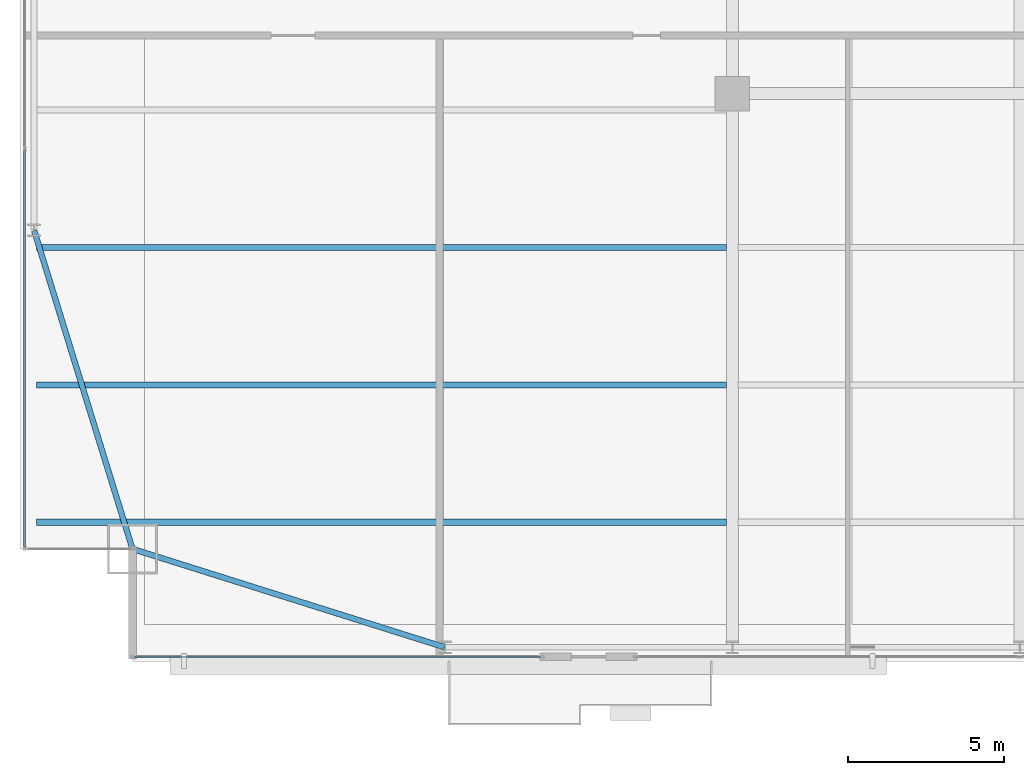
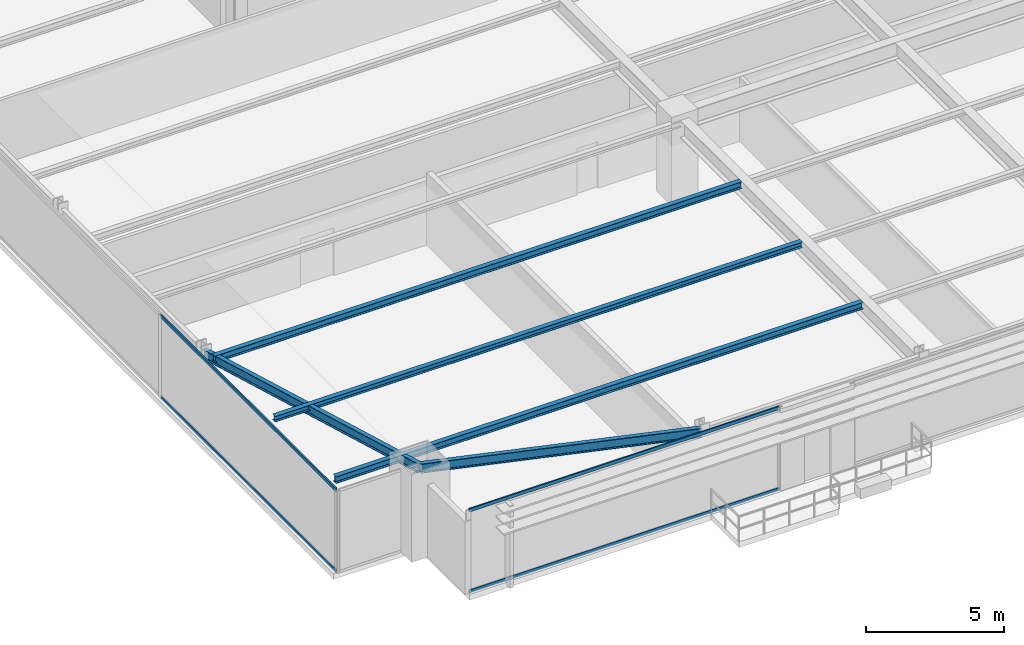
# One storey, part 4 of 31: 5 beams, 4 members, 2 elements without a shape of their own.
"""IFC4 building model written with IfcOpenShell, lengths in metres."""

from ifc_helpers import new_model, si_unit, direction, frame, origin, origin_2d, place, context, subcontext, project, spatial, hollow_rectangle, i_section, extrude, source, transform, mapped, material, layer, layer_set, material_profile, profile_set, type_object, type_shapes, element, aggregate, save


model = new_model("IFC4")

# Units and contexts
model_context = context("Model", 3, precision=1e-05, world=origin(), true_north=direction((0.0, 1.0)))
body_context = subcontext(model_context, "Body", "Model", "MODEL_VIEW")
ifc_project = project(units=[si_unit("LENGTHUNIT", "METRE"), si_unit("AREAUNIT", "SQUARE_METRE"), si_unit("VOLUMEUNIT", "CUBIC_METRE"), si_unit("PLANEANGLEUNIT", "RADIAN"), si_unit("MASSUNIT", "GRAM", prefix="KILO")], contexts=[model_context])

# Site, building, storey
site_placement = place(None, origin())
site = spatial("IfcSite", under=ifc_project, at=site_placement, CompositionType="ELEMENT")
building_placement = place(site_placement, origin())
building = spatial("IfcBuilding", under=site, at=building_placement, Name="Varnel Quay Broadcast Tower", CompositionType="ELEMENT")
storey_placement = place(building_placement, frame((0.0, 0.0, 51.0)))
storey = spatial("IfcBuildingStorey", under=building, at=storey_placement, Name="L11", CompositionType="ELEMENT", Elevation=51.0)

# Beams
ifc_material_1 = material(Name="Structural Steel CSA G40.21 350W", Category="steel")
ifc_material_profile_1 = material_profile(ifc_material_1, i_section(OverallWidth=0.180908203125, OverallDepth=0.4169921875, WebThickness=0.010986328125, FlangeThickness=0.018310546875, FilletRadius=0.011962890625, at=origin_2d()), Name="W410X85")
ifc_profile_set_1 = profile_set([ifc_material_profile_1], Name="Structural Steel CSA G40.21 350W")
beam_type_1 = type_object("IfcBeamType", Name="Beam_W410X85", PredefinedType="SPANDREL", material=ifc_profile_set_1)
shared_shape_1 = source(origin(), body_context, "Body", "SweptSolid", [
    extrude(i_section(OverallWidth=0.180908203125, OverallDepth=0.4169921875, WebThickness=0.010986328125, FlangeThickness=0.018310546875, FilletRadius=0.011962890625, at=origin_2d()), origin(), (0.0, 0.0, 1.0), 10.444091796875),
])
beam_1_placement = place(storey_placement, frame((5.619140625, 4.7939453125, 3.44140625), z_axis=(0.953798277271, -0.300447743003, 0.0), x_axis=(0.300447743003, 0.953798277271, 0.0)))
element("IfcBeam", 1, at=beam_1_placement, inside=storey, type_object=beam_type_1, Name="L11 South Spandrel MC-SW-TC-S1", PredefinedType="SPANDREL", context=body_context, shape_type="MappedRepresentation", body=[
    mapped(shared_shape_1, transform((0.0, 0.0, 0.0), x_axis=(1.0, 0.0, 0.0), y_axis=(0.0, 1.0, 0.0), z_axis=(0.0, 0.0, 1.0), scale=1.0)),
])
shared_shape_2 = source(origin(), body_context, "Body", "SweptSolid", [
    extrude(i_section(OverallWidth=0.180908203125, OverallDepth=0.4169921875, WebThickness=0.010986328125, FlangeThickness=0.018310546875, FilletRadius=0.011962890625, at=origin_2d()), origin(), (0.0, 0.0, 1.0), 10.635498046875),
])
type_shapes(beam_type_1, [shared_shape_1, shared_shape_2])
beam_2_placement = place(storey_placement, frame((5.593994140625, 4.819091796875, 3.44140625), z_axis=(-0.295069676324, 0.955475738108, 0.0), x_axis=(-0.955475738108, -0.295069676324, 0.0)))
element("IfcBeam", 2, at=beam_2_placement, inside=storey, type_object=beam_type_1, Name="L11 West Spandrel MC-SW-TC-W1", PredefinedType="SPANDREL", context=body_context, shape_type="MappedRepresentation", body=[
    mapped(shared_shape_2, transform((0.0, 0.0, 0.0), x_axis=(1.0, 0.0, 0.0), y_axis=(0.0, 1.0, 0.0), z_axis=(0.0, 0.0, 1.0), scale=1.0)),
])
ifc_material_profile_2 = material_profile(ifc_material_1, i_section(OverallWidth=0.202880859375, OverallDepth=0.302978515625, WebThickness=0.007568359375, FlangeThickness=0.01318359375, FilletRadius=0.011962890625, at=origin_2d()), Name="W310X60")
ifc_profile_set_2 = profile_set([ifc_material_profile_2], Name="Structural Steel CSA G40.21 350W")
beam_type_2 = type_object("IfcBeamType", Name="Beam_W310X60", PredefinedType="JOIST", material=ifc_profile_set_2)
shared_shape_3 = source(origin(), body_context, "Body", "SweptSolid", [
    extrude(i_section(OverallWidth=0.202880859375, OverallDepth=0.302978515625, WebThickness=0.007568359375, FlangeThickness=0.01318359375, FilletRadius=0.011962890625, at=origin_2d()), origin(), (0.0, 0.0, 1.0), 22.0791015625),
])
type_shapes(beam_type_2, [shared_shape_3])
for number, where, z_axis, x_axis, name in (
    (3, (2.535400390625, 5.64990234375, 3.49853515625), (1.0, 0.0, 0.0), (0.0, 1.0, 0.0), "L11 West Floor Joist 1"),
    (4, (2.535400390625, 14.449951171875, 3.49853515625), (1.0, 0.0, 0.0), (0.0, 1.0, 0.0), "L11 West Floor Joist 3"),
):
    element("IfcBeam", number, at=place(storey_placement, frame(where, z_axis=z_axis, x_axis=x_axis)), inside=storey, type_object=beam_type_2, Name=name, PredefinedType="JOIST", context=body_context, shape_type="MappedRepresentation", body=[
        mapped(shared_shape_3, transform((0.0, 0.0, 0.0), x_axis=(1.0, 0.0, 0.0), y_axis=(0.0, 1.0, 0.0), z_axis=(0.0, 0.0, 1.0), scale=1.0)),
    ])
ifc_material_profile_3 = material_profile(ifc_material_1, i_section(OverallWidth=0.201904296875, OverallDepth=0.2470703125, WebThickness=0.00732421875, FlangeThickness=0.010986328125, FilletRadius=0.010986328125, at=origin_2d()), Name="W250X49")
ifc_profile_set_3 = profile_set([ifc_material_profile_3], Name="Structural Steel CSA G40.21 350W")
beam_type_3 = type_object("IfcBeamType", Name="Beam_W250X49", PredefinedType="JOIST", material=ifc_profile_set_3)
shared_shape_4 = source(origin(), body_context, "Body", "SweptSolid", [
    extrude(i_section(OverallWidth=0.201904296875, OverallDepth=0.2470703125, WebThickness=0.00732421875, FlangeThickness=0.010986328125, FilletRadius=0.010986328125, at=origin_2d()), origin(), (0.0, 0.0, 1.0), 22.0791015625),
])
type_shapes(beam_type_3, [shared_shape_4])
beam_3_placement = place(storey_placement, frame((2.535400390625, 10.050048828125, 3.526611328125), z_axis=(1.0, 0.0, 0.0), x_axis=(0.0, 1.0, 0.0)))
element("IfcBeam", 5, at=beam_3_placement, inside=storey, type_object=beam_type_3, Name="L11 West Floor Joist 2", PredefinedType="JOIST", context=body_context, shape_type="MappedRepresentation", body=[
    mapped(shared_shape_4, transform((0.0, 0.0, 0.0), x_axis=(1.0, 0.0, 0.0), y_axis=(0.0, 1.0, 0.0), z_axis=(0.0, 0.0, 1.0), scale=1.0)),
])

# Curtain wall, members
ifc_material_2 = material(Name="Anodised Bronze Aluminium 6063-T6", Category="aluminium")
ifc_layer = layer(ifc_material_2, 0.18994140625, Name="Anodised Bronze Aluminium 6063-T6")
ifc_layer_set = layer_set([ifc_layer], Name="Anodised Bronze Aluminium 6063-T6")
curtain_wall_type = type_object("IfcCurtainWallType", Name="CW_LowerTower", PredefinedType="NOTDEFINED", material=ifc_layer_set)
curtain_wall_1_placement = place(storey_placement, origin())
curtain_wall_1 = element("IfcCurtainWall", 6, at=curtain_wall_1_placement, inside=storey, type_object=curtain_wall_type, Name="L11 South Unitised Curtain Wall 1", PredefinedType="NOTDEFINED")
ifc_material_profile_4 = material_profile(ifc_material_2, hollow_rectangle(XDim=0.06005859375, YDim=0.14501953125, WallThickness=0.00341796875, at=origin_2d()), Name="ALU60X145X3.5")
ifc_profile_set_4 = profile_set([ifc_material_profile_4], Name="Anodised Bronze Aluminium 6063-T6")
member_type = type_object("IfcMemberType", Name="Tran_CWS-02", PredefinedType="USERDEFINED", material=ifc_profile_set_4)
shared_shape_5 = source(origin(), body_context, "Body", "SweptSolid", [
    extrude(hollow_rectangle(XDim=0.06005859375, YDim=0.14501953125, WallThickness=0.00341796875, at=origin_2d()), origin(), (0.0, 0.0, 1.0), 12.97998046875),
])
member_1_placement = place(storey_placement, frame((5.669921875, 1.35009765625, 0.030029296875), z_axis=(1.0, 0.0, 0.0), x_axis=(0.0, 1.0, 0.0)))
member_1 = element("IfcMember", 7, at=member_1_placement, type_object=member_type, Name="CWS-02 transom 1.1", ObjectType="TRANSOM", PredefinedType="USERDEFINED", context=body_context, shape_type="MappedRepresentation", body=[
    mapped(shared_shape_5, transform((0.0, 0.0, 0.0), x_axis=(1.0, 0.0, 0.0), y_axis=(0.0, 1.0, 0.0), z_axis=(0.0, 0.0, 1.0), scale=1.0)),
])
member_2_placement = place(storey_placement, frame((5.669921875, 1.35009765625, 3.6201171875), z_axis=(1.0, 0.0, 0.0), x_axis=(0.0, 1.0, 0.0)))
member_2 = element("IfcMember", 8, at=member_2_placement, type_object=member_type, Name="CWS-02 transom 1.2", ObjectType="TRANSOM", PredefinedType="USERDEFINED", context=body_context, shape_type="MappedRepresentation", body=[
    mapped(shared_shape_5, transform((0.0, 0.0, 0.0), x_axis=(1.0, 0.0, 0.0), y_axis=(0.0, 1.0, 0.0), z_axis=(0.0, 0.0, 1.0), scale=1.0)),
])
aggregate(curtain_wall_1, [member_1, member_2])

curtain_wall_2_placement = place(storey_placement, origin())
curtain_wall_2 = element("IfcCurtainWall", 9, at=curtain_wall_2_placement, inside=storey, type_object=curtain_wall_type, Name="L11 West Unitised Curtain Wall", PredefinedType="NOTDEFINED")
shared_shape_6 = source(origin(), body_context, "Body", "SweptSolid", [
    extrude(hollow_rectangle(XDim=0.06005859375, YDim=0.14501953125, WallThickness=0.00341796875, at=origin_2d()), origin(), (0.0, 0.0, 1.0), 12.69482421875),
])
type_shapes(member_type, [shared_shape_5, shared_shape_6])
member_3_placement = place(storey_placement, frame((2.14990234375, 4.8701171875, 0.030029296875), z_axis=(0.0, 1.0, 0.0), x_axis=(-1.0, 0.0, 0.0)))
member_3 = element("IfcMember", 10, at=member_3_placement, type_object=member_type, Name="CWS-02 transom 1.1", ObjectType="TRANSOM", PredefinedType="USERDEFINED", context=body_context, shape_type="MappedRepresentation", body=[
    mapped(shared_shape_6, transform((0.0, 0.0, 0.0), x_axis=(1.0, 0.0, 0.0), y_axis=(0.0, 1.0, 0.0), z_axis=(0.0, 0.0, 1.0), scale=1.0)),
])
member_4_placement = place(storey_placement, frame((2.14990234375, 4.8701171875, 3.6201171875), z_axis=(0.0, 1.0, 0.0), x_axis=(-1.0, 0.0, 0.0)))
member_4 = element("IfcMember", 11, at=member_4_placement, type_object=member_type, Name="CWS-02 transom 1.2", ObjectType="TRANSOM", PredefinedType="USERDEFINED", context=body_context, shape_type="MappedRepresentation", body=[
    mapped(shared_shape_6, transform((0.0, 0.0, 0.0), x_axis=(1.0, 0.0, 0.0), y_axis=(0.0, 1.0, 0.0), z_axis=(0.0, 0.0, 1.0), scale=1.0)),
])
aggregate(curtain_wall_2, [member_3, member_4])

save(model, "model.ifc")
